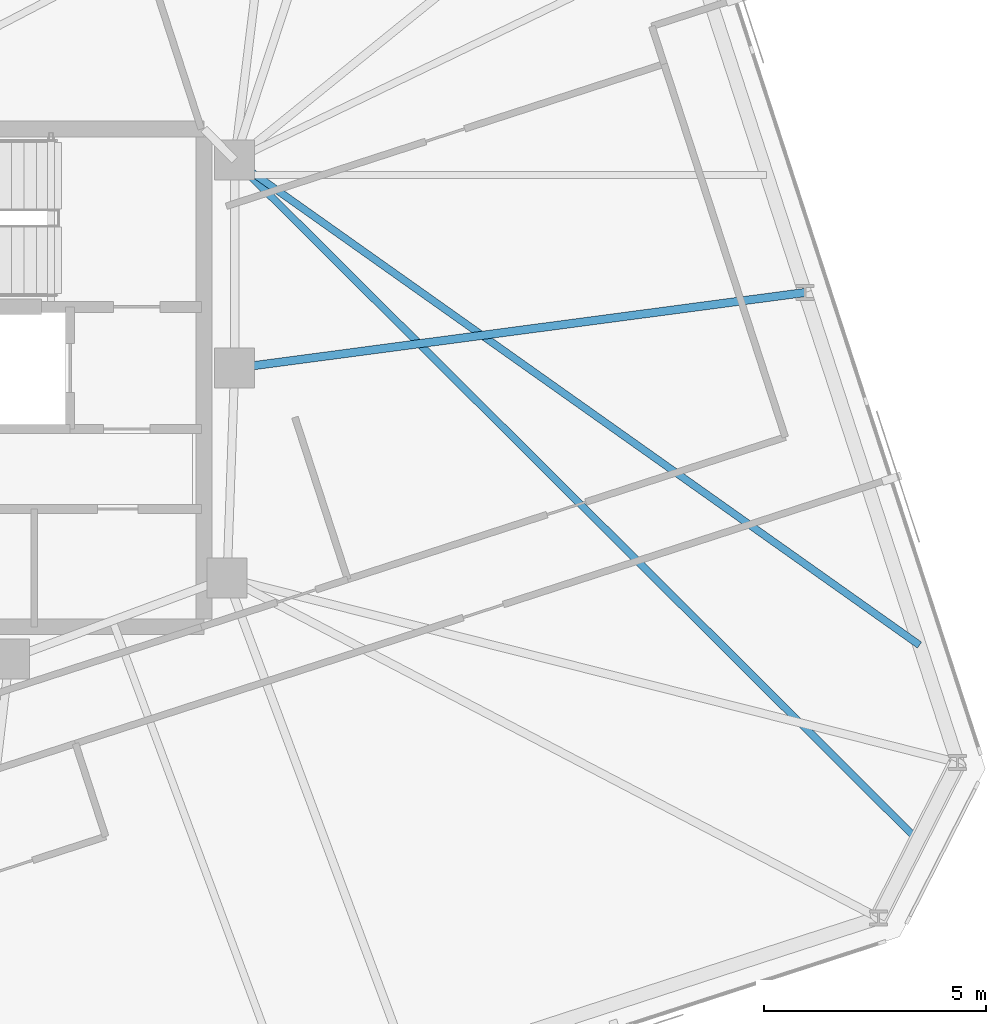
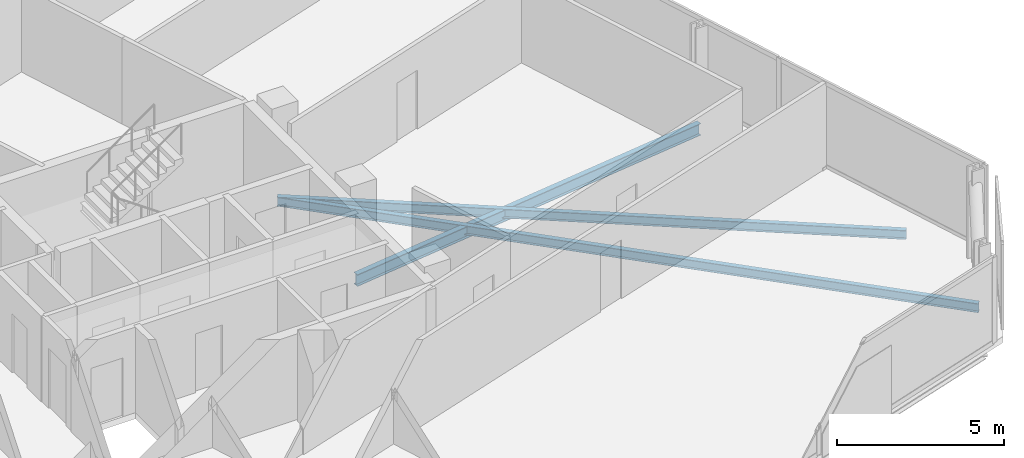
# One storey, part 8 of 19: 3 beams.
"""IFC4 building model written with IfcOpenShell, lengths in metres."""

import ifcopenshell
import ifcopenshell.guid

model = None  # the IFC model being written
_history = None  # IfcOwnerHistory: only IFC2X3 demands one
_inside = {}  # id of a spatial element -> (the spatial element, [elements in it])
_under = {}  # id of a project, library or spatial element -> (it, [spatial elements below it])
_declared = {}  # id of a project -> (the project, [libraries it declares])
_typed = {}  # id of a type object -> (the type object, [elements of that type])
_made_of = {}  # id of a material, layer set ... -> (it, [elements and type objects made of it])


def new_model(schema):
    """Start an empty IFC model of exactly this schema.

    Asked for "IFC4X3", IfcOpenShell would pick the latest addendum, in which some entities
    have other attributes; the version numbers below select the first issue.
    IFC2X3 requires an IfcOwnerHistory on every rooted entity: one is made here for all.
    """
    global model, _history
    if schema == "IFC4X3":
        model = ifcopenshell.file(schema_version=(4, 3, 0, 0))
    else:
        model = ifcopenshell.file(schema=schema)
    _inside.clear()
    _under.clear()
    _declared.clear()
    _typed.clear()
    _made_of.clear()
    _history = None
    if model.schema == "IFC2X3":
        org = make("IfcOrganization", Name="unknown")
        user = make(
            "IfcPersonAndOrganization",
            ThePerson=make("IfcPerson", FamilyName="unknown"),
            TheOrganization=org,
        )
        app = make(
            "IfcApplication",
            ApplicationDeveloper=org,
            Version="unknown",
            ApplicationFullName="unknown",
            ApplicationIdentifier="unknown",
        )
        _history = make(
            "IfcOwnerHistory",
            OwningUser=user,
            OwningApplication=app,
            ChangeAction="ADDED",
            CreationDate=0,
        )
    return model


def make(cls, **values):
    """One entity of the class cls with the attributes given. An attribute that is None is left unset."""
    return model.create_entity(
        cls, **{name: value for name, value in values.items() if value is not None}
    )


def rooted(cls, **values):
    """An entity with a GlobalId (a new one), such as an element, a storey or a relation."""
    return make(cls, GlobalId=ifcopenshell.guid.new(), OwnerHistory=_history, **values)


def si_unit(unit_type, name, prefix=None):
    """IfcSIUnit, for example si_unit("LENGTHUNIT", "METRE", prefix="MILLI")."""
    return make("IfcSIUnit", UnitType=unit_type, Prefix=prefix, Name=name)


def assignment(units):
    """IfcUnitAssignment: the units of a project."""
    return None if units is None else make("IfcUnitAssignment", Units=units)


def point(xyz):
    """IfcCartesianPoint."""
    return None if xyz is None else make("IfcCartesianPoint", Coordinates=xyz)


def direction(xyz):
    """IfcDirection."""
    return None if xyz is None else make("IfcDirection", DirectionRatios=xyz)


def frame(location, z_axis=None, x_axis=None):
    """IfcAxis2Placement3D, a coordinate frame: its origin and axes. An axis left out is left unset."""
    return make(
        "IfcAxis2Placement3D",
        Location=point(location),
        Axis=direction(z_axis),
        RefDirection=direction(x_axis),
    )


def frame_2d(location, x_axis=None):
    """IfcAxis2Placement2D, a coordinate frame in the plane: its origin and x axis."""
    return make(
        "IfcAxis2Placement2D", Location=point(location), RefDirection=direction(x_axis)
    )


def origin():
    """The frame at (0, 0, 0) with its axes left unset."""
    return frame((0.0, 0.0, 0.0))


def origin_2d():
    """The frame at (0, 0) in the plane with its x axis left unset."""
    return frame_2d((0.0, 0.0))


def place(relative_to, where):
    """IfcLocalPlacement: puts the frame where relative to a parent placement (None: the world)."""
    return make(
        "IfcLocalPlacement", PlacementRelTo=relative_to, RelativePlacement=where
    )


def context(
    kind, dimensions, precision=None, world=None, true_north=None, identifier=None
):
    """IfcGeometricRepresentationContext, for example the 3D "Model" context."""
    return make(
        "IfcGeometricRepresentationContext",
        ContextIdentifier=identifier,
        ContextType=kind,
        CoordinateSpaceDimension=dimensions,
        Precision=precision,
        WorldCoordinateSystem=world,
        TrueNorth=true_north,
    )


def subcontext(parent, identifier, kind, view, scale=None):
    """IfcGeometricRepresentationSubContext, for example "Body" below "Model"."""
    return make(
        "IfcGeometricRepresentationSubContext",
        ContextIdentifier=identifier,
        ContextType=kind,
        ParentContext=parent,
        TargetScale=scale,
        TargetView=view,
    )


def project(units=None, contexts=None):
    """IfcProject with its units and contexts."""
    return rooted(
        "IfcProject",
        Name="project",
        RepresentationContexts=contexts,
        UnitsInContext=assignment(units),
    )


def spatial(cls, under=None, at=None, **own):
    """A site, building, storey or space (cls), placed at a placement, below another one or the project."""
    s = rooted(cls, ObjectPlacement=at, **own)
    if under is not None:
        _under.setdefault(under.id(), (under, []))[1].append(s)
    return s


def profile(cls, at=None, kind="AREA", **sizes):
    """A parametric profile (cls). Its sizes go by their IFC names, for example OverallWidth=200.0."""
    return make(cls, ProfileType=kind, Position=at, **sizes)


def i_section(**sizes):
    """IfcIShapeProfileDef."""
    return profile("IfcIShapeProfileDef", **sizes)


def extrude(swept, where, along, depth):
    """IfcExtrudedAreaSolid: the profile swept, set in the frame where, extruded along a direction by depth."""
    return make(
        "IfcExtrudedAreaSolid",
        SweptArea=swept,
        Position=where,
        ExtrudedDirection=direction(along),
        Depth=depth,
    )


def shape(context_of_items, identifier, shape_type, items):
    """IfcShapeRepresentation: the items that make up one representation, for example the "Body"."""
    return make(
        "IfcShapeRepresentation",
        ContextOfItems=context_of_items,
        RepresentationIdentifier=identifier,
        RepresentationType=shape_type,
        Items=items,
    )


def material(Name=None, Category=None):
    """IfcMaterial."""
    return make("IfcMaterial", Name=Name, Category=Category)


def material_profile(
    of_material, cross_section, Name=None, Category=None, Priority=None
):
    """IfcMaterialProfile: a cross section and its material."""
    return make(
        "IfcMaterialProfile",
        Name=Name,
        Material=of_material,
        Profile=cross_section,
        Priority=Priority,
        Category=Category,
    )


def profile_set(profiles, Name=None, composite=None):
    """IfcMaterialProfileSet."""
    return make(
        "IfcMaterialProfileSet",
        Name=Name,
        MaterialProfiles=profiles,
        CompositeProfile=composite,
    )


def made_of(thing, what):
    """Note that an element or type object is made of a material, layer set ...; save() writes the relation."""
    if what is not None:
        _made_of.setdefault(what.id(), (what, []))[1].append(thing)
    return thing


def type_object(cls, material=None, **own):
    """A type object (cls), such as IfcWallType, which elements share."""
    return made_of(rooted(cls, **own), material)


def element(
    cls,
    number,
    at=None,
    inside=None,
    cuts=None,
    type_object=None,
    material=None,
    context=None,
    identifier="Body",
    shape_type=None,
    held_by="IfcProductDefinitionShape",
    body=None,
    shapes=None,
    **own,
):
    """One element of the class cls, such as IfcWall. Its Tag is "e" and its number.

    at: its placement. inside: the storey or other place that contains it. cuts: it is an
    opening in that element (IfcRelVoidsElement). A single representation is given by context,
    identifier, shape_type and body (its items); several are given by shapes. held_by: the class
    of the entity that holds the representations. save() writes the other relations.
    """
    e = rooted(cls, Tag="e%d" % number, ObjectPlacement=at, **own)
    if body is not None:
        shapes = [shape(context, identifier, shape_type, body)]
    if shapes is not None:
        e.Representation = make(held_by, Representations=shapes)
    if inside is not None:
        _inside.setdefault(inside.id(), (inside, []))[1].append(e)
    if cuts is not None:
        rooted(
            "IfcRelVoidsElement", RelatingBuildingElement=cuts, RelatedOpeningElement=e
        )
    if type_object is not None:
        _typed.setdefault(type_object.id(), (type_object, []))[1].append(e)
    return made_of(e, material)


def aggregate(whole, parts):
    """IfcRelAggregates: a whole, such as a stair, and the parts it consists of."""
    return rooted("IfcRelAggregates", RelatingObject=whole, RelatedObjects=parts)


def save(model, path):
    """Write the relations noted so far, then the file.

    IfcRelAggregates (storeys below a building ...), IfcRelContainedInSpatialStructure (elements
    in a storey), IfcRelDefinesByType, IfcRelAssociatesMaterial and IfcRelDeclares: one each for
    every whole, place, type object, material and project.
    """
    for whole, parts in _under.values():
        aggregate(whole, parts)
    for where, things in _inside.values():
        rooted(
            "IfcRelContainedInSpatialStructure",
            RelatedElements=things,
            RelatingStructure=where,
        )
    for kind, things in _typed.values():
        rooted("IfcRelDefinesByType", RelatedObjects=things, RelatingType=kind)
    for what, things in _made_of.values():
        rooted("IfcRelAssociatesMaterial", RelatedObjects=things, RelatingMaterial=what)
    for by, libraries in _declared.values():
        rooted("IfcRelDeclares", RelatingContext=by, RelatedDefinitions=libraries)
    model.write(path)


model = new_model("IFC4")

# Units and contexts
model_context = context("Model", 3, precision=1e-05, world=origin(), true_north=direction((0.0, 1.0)))
body_context = subcontext(model_context, "Body", "Model", "MODEL_VIEW")
ifc_project = project(units=[si_unit("LENGTHUNIT", "METRE"), si_unit("AREAUNIT", "SQUARE_METRE"), si_unit("VOLUMEUNIT", "CUBIC_METRE"), si_unit("PLANEANGLEUNIT", "RADIAN"), si_unit("MASSUNIT", "GRAM", prefix="KILO")], contexts=[model_context])

# Site, building, storey
site_placement = place(None, origin())
site = spatial("IfcSite", under=ifc_project, at=site_placement, CompositionType="ELEMENT")
building_placement = place(site_placement, origin())
building = spatial("IfcBuilding", under=site, at=building_placement, Name="Menara Jurai Vektor", CompositionType="ELEMENT")
storey_placement = place(building_placement, frame((0.0, 0.0, 210.89990234375)))
storey = spatial("IfcBuildingStorey", under=building, at=storey_placement, Name="L55", CompositionType="ELEMENT", Elevation=210.89990234375)

# Beams
ifc_material = material(Name="Steel S355", Category="steel")
ifc_material_profile_1 = material_profile(ifc_material, i_section(OverallWidth=0.18505859375, OverallDepth=0.429931640625, WebThickness=0.010986328125, FlangeThickness=0.01806640625, at=origin_2d()), Name="PG 430x185x76")
ifc_profile_set_1 = profile_set([ifc_material_profile_1], Name="Steel S355")
beam_type_1 = type_object("IfcBeamType", Name="STR-BM-430", PredefinedType="BEAM", material=ifc_profile_set_1)
beam_1_placement = place(storey_placement, frame((28.07763671875, 1.92236328125, -0.43994140625), z_axis=(-0.99130829243, -0.131559375797, 0.0), x_axis=(0.131559375797, -0.99130829243, 0.0)))
element("IfcBeam", 1, at=beam_1_placement, inside=storey, type_object=beam_type_1, Name="Radial Floor Girder L55-E2", PredefinedType="BEAM", context=body_context, shape_type="SweptSolid", body=[
    extrude(i_section(OverallWidth=0.18505859375, OverallDepth=0.429931640625, WebThickness=0.010986328125, FlangeThickness=0.01806640625, at=origin_2d()), origin(), (0.0, 0.0, 1.0), 12.940185546875),
])
ifc_material_profile_2 = material_profile(ifc_material, i_section(OverallWidth=0.1650390625, OverallDepth=0.330078125, WebThickness=0.009033203125, FlangeThickness=0.013916015625, at=origin_2d()), Name="PG 330x165x46")
ifc_profile_set_2 = profile_set([ifc_material_profile_2], Name="Steel S355")
beam_type_2 = type_object("IfcBeamType", Name="STR-JS-330", PredefinedType="JOIST", material=ifc_profile_set_2)
beam_2_placement = place(storey_placement, frame((30.62353515625, -10.398681640625, -0.389892578125), z_axis=(-0.70883256901, 0.705376771032, 0.0), x_axis=(-0.705376771032, -0.70883256901, 0.0)))
element("IfcBeam", 2, at=beam_2_placement, inside=storey, type_object=beam_type_2, Name="Radial Secondary Floor Joist L55-JS09", PredefinedType="JOIST", context=body_context, shape_type="SweptSolid", body=[
    extrude(i_section(OverallWidth=0.1650390625, OverallDepth=0.330078125, WebThickness=0.009033203125, FlangeThickness=0.013916015625, at=origin_2d()), origin(), (0.0, 0.0, 1.0), 21.6884765625),
])
beam_3_placement = place(storey_placement, frame((30.654296875, -6.00830078125, -0.389892578125), z_axis=(-0.816103783972, 0.577905367501, 0.0), x_axis=(-0.577905367501, -0.816103783972, 0.0)))
element("IfcBeam", 3, at=beam_3_placement, inside=storey, type_object=beam_type_2, Name="Radial Secondary Floor Joist L55-JS10", PredefinedType="JOIST", context=body_context, shape_type="SweptSolid", body=[
    extrude(i_section(OverallWidth=0.1650390625, OverallDepth=0.330078125, WebThickness=0.009033203125, FlangeThickness=0.013916015625, at=origin_2d()), origin(), (0.0, 0.0, 1.0), 18.87548828125),
])

save(model, "model.ifc")
